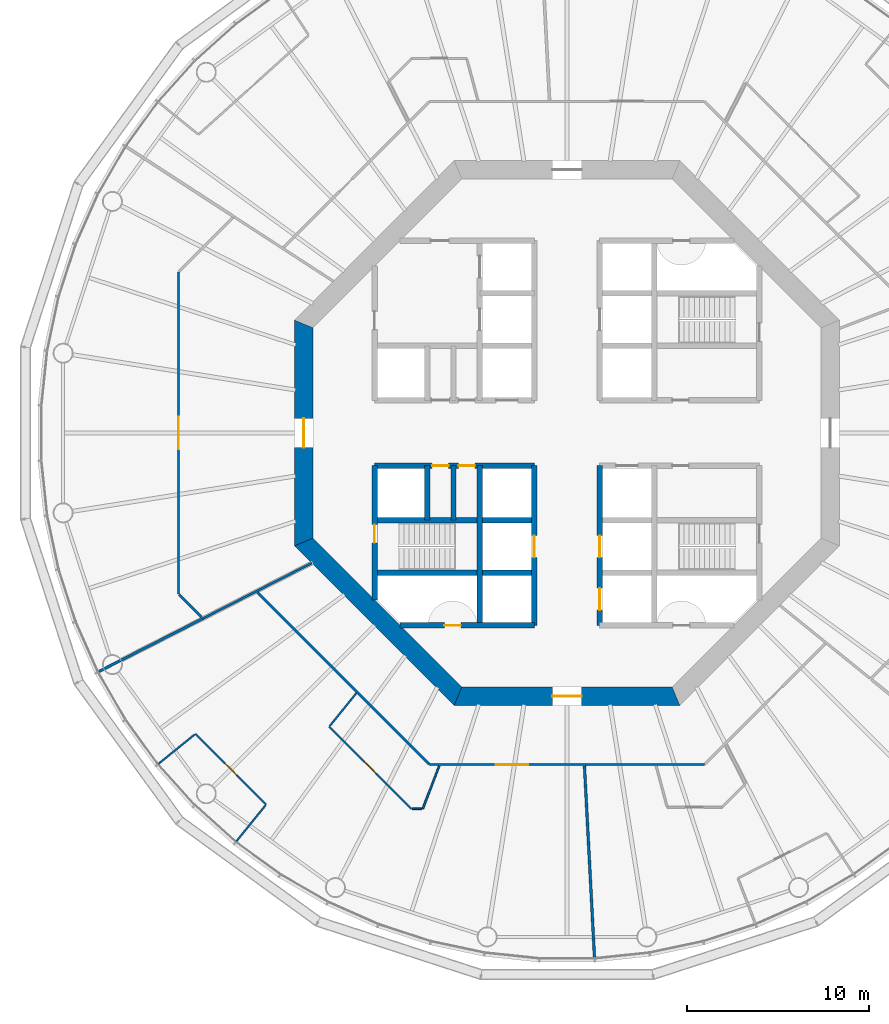
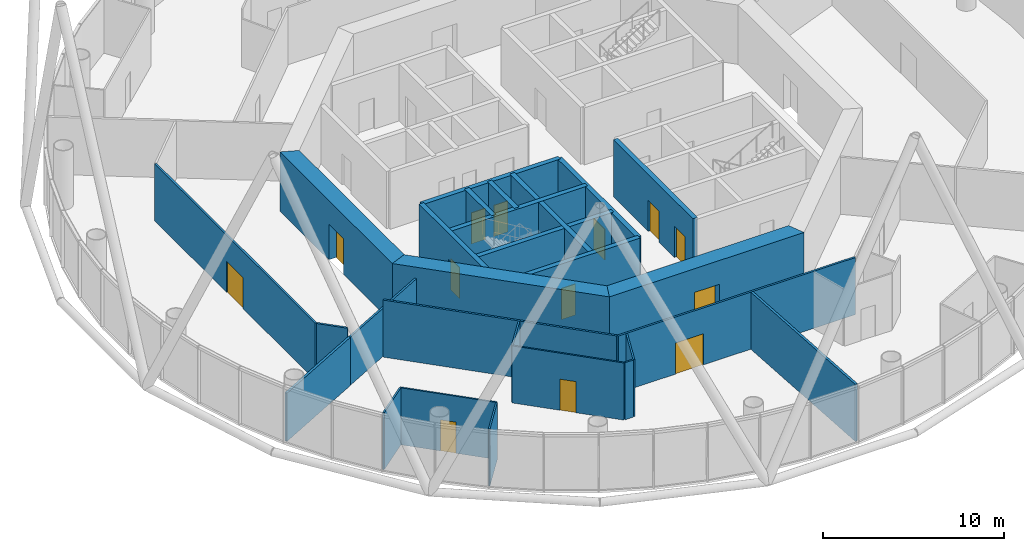
# One storey, part 3 of 13: 27 walls, 13 doors, 13 openings.
"""IFC4 building model written with IfcOpenShell, lengths in metres."""

from ifc_helpers import new_model, si_unit, direction, frame, frame_2d, origin, place, context, subcontext, project, spatial, polyline, rectangle, outline, extrude, material, layer, layer_set, type_object, element, fill, save


model = new_model("IFC4")

# Units and contexts
model_context = context("Model", 3, precision=1e-05, world=origin(), true_north=direction((0.0, 1.0)))
body_context = subcontext(model_context, "Body", "Model", "MODEL_VIEW")
ifc_project = project(units=[si_unit("LENGTHUNIT", "METRE"), si_unit("AREAUNIT", "SQUARE_METRE"), si_unit("VOLUMEUNIT", "CUBIC_METRE"), si_unit("PLANEANGLEUNIT", "RADIAN"), si_unit("MASSUNIT", "GRAM", prefix="KILO")], contexts=[model_context])

# Site, building, storey
site_placement = place(None, origin())
site = spatial("IfcSite", under=ifc_project, at=site_placement, CompositionType="ELEMENT")
building_placement = place(site_placement, origin())
building = spatial("IfcBuilding", under=site, at=building_placement, Name="Entoto Ring Tower", CompositionType="ELEMENT")
storey_placement = place(building_placement, frame((0.0, 0.0, 180.0)))
storey = spatial("IfcBuildingStorey", under=building, at=storey_placement, Name="L41", CompositionType="ELEMENT", Elevation=180.0)

# Wall, openings, doors
ifc_material_1 = material(Name="Concrete C40/50", Category="concrete")
ifc_layer_1 = layer(ifc_material_1, 0.300048828125)
ifc_layer_set_1 = layer_set([ifc_layer_1], Name="Concrete C40/50")
wall_type_1 = type_object("IfcWallType", Name="Core enclosure wall 300 mm reinforced concrete", PredefinedType="SOLIDWALL", material=ifc_layer_set_1)
wall_1_placement = place(storey_placement, frame((91.800048828125, 69.39990234375, 0.0), z_axis=(0.0, 0.0, 1.0), x_axis=(0.0, 1.0, 0.0)))
wall_1 = element("IfcWall", 1, at=wall_1_placement, inside=storey, type_object=wall_type_1, Name="wall-L41-005", PredefinedType="SOLIDWALL", context=body_context, shape_type="SweptSolid", body=[
    extrude(rectangle(XDim=8.800048828125, YDim=0.300048828125, at=frame_2d((4.39990234375, 0.0))), origin(), (0.0, 0.0, 1.0), 3.85009765625),
])
opening_1_placement = place(wall_1_placement, frame((3.75, 0.0, 0.0)))
opening_1 = element("IfcOpeningElement", 2, at=opening_1_placement, cuts=wall_1, Name="Opening LD", PredefinedType="OPENING", context=body_context, shape_type="SweptSolid", body=[
    extrude(rectangle(XDim=1.199951171875, YDim=2.10009765625, at=frame_2d((0.60009765625, 1.050048828125))), frame((0.0, 0.16015625, 0.0), z_axis=(0.0, -1.0, 0.0), x_axis=(1.0, 0.0, 0.0)), (0.0, 0.0, 1.0), 0.320068359375),
])
opening_2_placement = place(wall_1_placement, frame((0.85009765625, 0.0, 0.0)))
opening_2 = element("IfcOpeningElement", 3, at=opening_2_placement, cuts=wall_1, Name="Opening LD", PredefinedType="OPENING", context=body_context, shape_type="SweptSolid", body=[
    extrude(rectangle(XDim=1.199951171875, YDim=2.10009765625, at=frame_2d((0.60009765625, 1.050048828125))), frame((0.0, 0.16015625, 0.0), z_axis=(0.0, -1.0, 0.0), x_axis=(1.0, 0.0, 0.0)), (0.0, 0.0, 1.0), 0.320068359375),
])
ifc_material_2 = material(Name="Steel and glass door leaf", Category="steel")
ifc_layer_2 = layer(ifc_material_2, 0.050048828125)
ifc_layer_set_2 = layer_set([ifc_layer_2], Name="Steel and glass door leaf")
door_type_1 = type_object("IfcDoorType", Name="Landing door 1200 x 2100 sliding", OperationType="DOUBLE_DOOR_SLIDING", PredefinedType="DOOR", material=ifc_layer_set_2)
door_1_placement = place(opening_1_placement, origin())
door_1 = element("IfcDoor", 4, at=door_1_placement, inside=storey, type_object=door_type_1, Name="Landing door LB2-MR", OperationType="SLIDING_TO_RIGHT", OverallHeight=2.10009765625, OverallWidth=1.199951171875, PredefinedType="DOOR", context=body_context, shape_type="SweptSolid", body=[
    extrude(rectangle(XDim=1.199951171875, YDim=2.10009765625, at=frame_2d((0.60009765625, 1.050048828125))), frame((0.0, 0.02490234375, 0.0), z_axis=(0.0, -1.0, 0.0), x_axis=(1.0, 0.0, 0.0)), (0.0, 0.0, 1.0), 0.050048828125),
])
fill(opening_1, door_1)
door_2_placement = place(opening_2_placement, origin())
door_2 = element("IfcDoor", 5, at=door_2_placement, inside=storey, type_object=door_type_1, Name="Landing door LB3-MR", OperationType="SLIDING_TO_RIGHT", OverallHeight=2.10009765625, OverallWidth=1.199951171875, PredefinedType="DOOR", context=body_context, shape_type="SweptSolid", body=[
    extrude(rectangle(XDim=1.199951171875, YDim=2.10009765625, at=frame_2d((0.60009765625, 1.050048828125))), frame((0.0, 0.02490234375, 0.0), z_axis=(0.0, -1.0, 0.0), x_axis=(1.0, 0.0, 0.0)), (0.0, 0.0, 1.0), 0.050048828125),
])
fill(opening_2, door_2)

# Wall, opening, door
wall_2_placement = place(storey_placement, frame((88.199951171875, 69.39990234375, 0.0), z_axis=(0.0, 0.0, 1.0), x_axis=(0.0, 1.0, 0.0)))
wall_2 = element("IfcWall", 6, at=wall_2_placement, inside=storey, type_object=wall_type_1, Name="wall-L41-007", PredefinedType="SOLIDWALL", context=body_context, shape_type="SweptSolid", body=[
    extrude(rectangle(XDim=8.800048828125, YDim=0.300048828125, at=frame_2d((4.39990234375, 0.0))), origin(), (0.0, 0.0, 1.0), 3.85009765625),
])
opening_3_placement = place(wall_2_placement, frame((3.75, 0.0, 0.0)))
opening_3 = element("IfcOpeningElement", 7, at=opening_3_placement, cuts=wall_2, Name="Opening LD", PredefinedType="OPENING", context=body_context, shape_type="SweptSolid", body=[
    extrude(rectangle(XDim=1.199951171875, YDim=2.10009765625, at=frame_2d((0.60009765625, 1.050048828125))), frame((0.0, 0.16015625, 0.0), z_axis=(0.0, -1.0, 0.0), x_axis=(1.0, 0.0, 0.0)), (0.0, 0.0, 1.0), 0.320068359375),
])
door_3_placement = place(opening_3_placement, origin())
door_3 = element("IfcDoor", 8, at=door_3_placement, inside=storey, type_object=door_type_1, Name="Landing door LB4-MR", OperationType="SLIDING_TO_RIGHT", OverallHeight=2.10009765625, OverallWidth=1.199951171875, PredefinedType="DOOR", context=body_context, shape_type="SweptSolid", body=[
    extrude(rectangle(XDim=1.199951171875, YDim=2.10009765625, at=frame_2d((0.60009765625, 1.050048828125))), frame((0.0, 0.02490234375, 0.0), z_axis=(0.0, -1.0, 0.0), x_axis=(1.0, 0.0, 0.0)), (0.0, 0.0, 1.0), 0.050048828125),
])
fill(opening_3, door_3)

# Walls
wall_3_placement = place(storey_placement, frame((85.199951171875, 69.39990234375, 0.0), z_axis=(0.0, 0.0, 1.0), x_axis=(0.0, 1.0, 0.0)))
element("IfcWall", 9, at=wall_3_placement, inside=storey, type_object=wall_type_1, Name="wall-L41-009", PredefinedType="SOLIDWALL", context=body_context, shape_type="SweptSolid", body=[
    extrude(rectangle(XDim=8.800048828125, YDim=0.300048828125, at=frame_2d((4.39990234375, 0.0))), origin(), (0.0, 0.0, 1.0), 3.85009765625),
])
for number, where, z_axis, x_axis, name in (
    (10, (83.75, 75.199951171875, 0.0), (0.0, 0.0, 1.0), (0.0, 1.0, 0.0), "wall-L41-011"),
    (11, (82.300048828125, 75.199951171875, 0.0), (0.0, 0.0, 1.0), (0.0, 1.0, 0.0), "wall-L41-013"),
):
    element("IfcWall", number, at=place(storey_placement, frame(where, z_axis=z_axis, x_axis=x_axis)), inside=storey, type_object=wall_type_1, Name=name, PredefinedType="SOLIDWALL", context=body_context, shape_type="SweptSolid", body=[
        extrude(rectangle(XDim=3.0, YDim=0.300048828125, at=frame_2d((1.5, 0.0))), origin(), (0.0, 0.0, 1.0), 3.85009765625),
    ])

# Wall, opening, door
wall_4_placement = place(storey_placement, frame((79.39990234375, 70.801025390625, 0.0), z_axis=(0.0, 0.0, 1.0), x_axis=(0.0, 1.0, 0.0)))
wall_4 = element("IfcWall", 12, at=wall_4_placement, inside=storey, type_object=wall_type_1, Name="wall-L41-015", PredefinedType="SOLIDWALL", context=body_context, shape_type="SweptSolid", body=[
    extrude(rectangle(XDim=7.39892578125, YDim=0.300048828125, at=frame_2d((3.699462890625, 0.0))), origin(), (0.0, 0.0, 1.0), 3.85009765625),
])
opening_4_placement = place(wall_4_placement, frame((3.14892578125, 0.0, 0.0)))
opening_4 = element("IfcOpeningElement", 13, at=opening_4_placement, cuts=wall_4, Name="Opening K-59", PredefinedType="OPENING", context=body_context, shape_type="SweptSolid", body=[
    extrude(rectangle(XDim=1.0, YDim=2.10009765625, at=frame_2d((0.5, 1.050048828125))), frame((0.0, 0.16015625, 0.0), z_axis=(0.0, -1.0, 0.0), x_axis=(1.0, 0.0, 0.0)), (0.0, 0.0, 1.0), 0.320068359375),
])
ifc_material_3 = material(Name="Steel door leaf, fire rated", Category="steel")
ifc_layer_3 = layer(ifc_material_3, 0.050048828125)
ifc_layer_set_3 = layer_set([ifc_layer_3], Name="Steel door leaf, fire rated")
door_type_2 = type_object("IfcDoorType", Name="Fire door FD60 1000 x 2100 single leaf", OperationType="NOTDEFINED", PredefinedType="DOOR", material=ifc_layer_set_3)
door_4_placement = place(opening_4_placement, frame((1.0, 0.0, 0.0), z_axis=(0.0, 0.0, 1.0), x_axis=(-1.0, 0.0, 0.0)))
door_4 = element("IfcDoor", 14, at=door_4_placement, inside=storey, type_object=door_type_2, Name="Door K-59", OperationType="SINGLE_SWING_LEFT", OverallHeight=2.10009765625, OverallWidth=1.0, PredefinedType="DOOR", context=body_context, shape_type="SweptSolid", body=[
    extrude(rectangle(XDim=1.0, YDim=2.10009765625, at=frame_2d((0.5, 1.050048828125))), frame((0.0, 0.02490234375, 0.0), z_axis=(0.0, -1.0, 0.0), x_axis=(1.0, 0.0, 0.0)), (0.0, 0.0, 1.0), 0.050048828125),
])
fill(opening_4, door_4)

wall_5_placement = place(storey_placement, frame((80.801025390625, 69.39990234375, 0.0), z_axis=(0.0, 0.0, 1.0), x_axis=(1.0, 0.0, 0.0)))
wall_5 = element("IfcWall", 15, at=wall_5_placement, inside=storey, type_object=wall_type_1, Name="wall-L41-017", PredefinedType="SOLIDWALL", context=body_context, shape_type="SweptSolid", body=[
    extrude(rectangle(XDim=7.39892578125, YDim=0.300048828125, at=frame_2d((3.699462890625, 0.0))), origin(), (0.0, 0.0, 1.0), 3.85009765625),
])
opening_5_placement = place(wall_5_placement, frame((2.448974609375, 0.0, 0.0)))
opening_5 = element("IfcOpeningElement", 16, at=opening_5_placement, cuts=wall_5, Name="Opening K-66", PredefinedType="OPENING", context=body_context, shape_type="SweptSolid", body=[
    extrude(rectangle(XDim=0.89990234375, YDim=2.10009765625, at=frame_2d((0.449951171875, 1.050048828125))), frame((0.0, 0.16015625, 0.0), z_axis=(0.0, -1.0, 0.0), x_axis=(1.0, 0.0, 0.0)), (0.0, 0.0, 1.0), 0.320068359375),
])
ifc_material_4 = material(Name="Steel door leaf, fire rated", Category="steel")
ifc_layer_4 = layer(ifc_material_4, 0.050048828125)
ifc_layer_set_4 = layer_set([ifc_layer_4], Name="Steel door leaf, fire rated")
door_type_3 = type_object("IfcDoorType", Name="Riser door FD60 900 x 2100 single leaf", OperationType="NOTDEFINED", PredefinedType="DOOR", material=ifc_layer_set_4)
door_5_placement = place(opening_5_placement, origin())
door_5 = element("IfcDoor", 17, at=door_5_placement, inside=storey, type_object=door_type_3, Name="Door K-66", OperationType="SINGLE_SWING_RIGHT", OverallHeight=2.10009765625, OverallWidth=0.89990234375, PredefinedType="DOOR", context=body_context, shape_type="SweptSolid", body=[
    extrude(rectangle(XDim=0.89990234375, YDim=2.10009765625, at=frame_2d((0.449951171875, 1.050048828125))), frame((0.0, 0.02490234375, 0.0), z_axis=(0.0, -1.0, 0.0), x_axis=(1.0, 0.0, 0.0)), (0.0, 0.0, 1.0), 0.050048828125),
])
fill(opening_5, door_5)

# Walls
for number, where, z_axis, x_axis, name in (
    (18, (79.39990234375, 72.300048828125, 0.0), (0.0, 0.0, 1.0), (1.0, 0.0, 0.0), "wall-L41-019"),
    (19, (79.39990234375, 75.199951171875, 0.0), (0.0, 0.0, 1.0), (1.0, 0.0, 0.0), "wall-L41-021"),
):
    element("IfcWall", number, at=place(storey_placement, frame(where, z_axis=z_axis, x_axis=x_axis)), inside=storey, type_object=wall_type_1, Name=name, PredefinedType="SOLIDWALL", context=body_context, shape_type="SweptSolid", body=[
        extrude(rectangle(XDim=8.800048828125, YDim=0.300048828125, at=frame_2d((4.39990234375, 0.0))), origin(), (0.0, 0.0, 1.0), 3.85009765625),
    ])

# Wall, openings, doors
wall_6_placement = place(storey_placement, frame((79.39990234375, 78.199951171875, 0.0), z_axis=(0.0, 0.0, 1.0), x_axis=(1.0, 0.0, 0.0)))
wall_6 = element("IfcWall", 20, at=wall_6_placement, inside=storey, type_object=wall_type_1, Name="wall-L41-023", PredefinedType="SOLIDWALL", context=body_context, shape_type="SweptSolid", body=[
    extrude(rectangle(XDim=8.800048828125, YDim=0.300048828125, at=frame_2d((4.39990234375, 0.0))), origin(), (0.0, 0.0, 1.0), 3.85009765625),
])
opening_6_placement = place(wall_6_placement, frame((3.175048828125, 0.0, 0.0)))
opening_6 = element("IfcOpeningElement", 21, at=opening_6_placement, cuts=wall_6, Name="Opening K-15", PredefinedType="OPENING", context=body_context, shape_type="SweptSolid", body=[
    extrude(rectangle(XDim=0.89990234375, YDim=2.10009765625, at=frame_2d((0.449951171875, 1.050048828125))), frame((0.0, 0.16015625, 0.0), z_axis=(0.0, -1.0, 0.0), x_axis=(1.0, 0.0, 0.0)), (0.0, 0.0, 1.0), 0.320068359375),
])
opening_7_placement = place(wall_6_placement, frame((4.625, 0.0, 0.0)))
opening_7 = element("IfcOpeningElement", 22, at=opening_7_placement, cuts=wall_6, Name="Opening K-16", PredefinedType="OPENING", context=body_context, shape_type="SweptSolid", body=[
    extrude(rectangle(XDim=0.89990234375, YDim=2.10009765625, at=frame_2d((0.449951171875, 1.050048828125))), frame((0.0, 0.16015625, 0.0), z_axis=(0.0, -1.0, 0.0), x_axis=(1.0, 0.0, 0.0)), (0.0, 0.0, 1.0), 0.320068359375),
])
ifc_material_5 = material(Name="Steel door leaf, fire rated", Category="steel")
ifc_layer_5 = layer(ifc_material_5, 0.050048828125)
ifc_layer_set_5 = layer_set([ifc_layer_5], Name="Steel door leaf, fire rated")
door_type_4 = type_object("IfcDoorType", Name="Core door 900 x 2100 single leaf", OperationType="NOTDEFINED", PredefinedType="DOOR", material=ifc_layer_set_5)
door_6_placement = place(opening_6_placement, frame((0.89990234375, 0.0, 0.0), z_axis=(0.0, 0.0, 1.0), x_axis=(-1.0, 0.0, 0.0)))
door_6 = element("IfcDoor", 23, at=door_6_placement, inside=storey, type_object=door_type_4, Name="Door K-15", OperationType="SINGLE_SWING_LEFT", OverallHeight=2.10009765625, OverallWidth=0.89990234375, PredefinedType="DOOR", context=body_context, shape_type="SweptSolid", body=[
    extrude(rectangle(XDim=0.89990234375, YDim=2.10009765625, at=frame_2d((0.449951171875, 1.050048828125))), frame((0.0, 0.02490234375, 0.0), z_axis=(0.0, -1.0, 0.0), x_axis=(1.0, 0.0, 0.0)), (0.0, 0.0, 1.0), 0.050048828125),
])
fill(opening_6, door_6)
door_7_placement = place(opening_7_placement, frame((0.89990234375, 0.0, 0.0), z_axis=(0.0, 0.0, 1.0), x_axis=(-1.0, 0.0, 0.0)))
door_7 = element("IfcDoor", 24, at=door_7_placement, inside=storey, type_object=door_type_4, Name="Door K-16", OperationType="SINGLE_SWING_LEFT", OverallHeight=2.10009765625, OverallWidth=0.89990234375, PredefinedType="DOOR", context=body_context, shape_type="SweptSolid", body=[
    extrude(rectangle(XDim=0.89990234375, YDim=2.10009765625, at=frame_2d((0.449951171875, 1.050048828125))), frame((0.0, 0.02490234375, 0.0), z_axis=(0.0, -1.0, 0.0), x_axis=(1.0, 0.0, 0.0)), (0.0, 0.0, 1.0), 0.050048828125),
])
fill(opening_7, door_7)

# Wall, opening, door
ifc_material_6 = material(Name="Concrete C50/60", Category="concrete")
ifc_layer_6 = layer(ifc_material_6, 1.0)
ifc_layer_set_6 = layer_set([ifc_layer_6], Name="Concrete C50/60")
wall_type_2 = type_object("IfcWallType", Name="Core shear wall 1000 mm reinforced concrete C50/60", PredefinedType="SHEAR", material=ifc_layer_set_6)
wall_7_placement = place(storey_placement, frame((75.5, 86.006103515625, 0.0), z_axis=(0.0, 0.0, 1.0), x_axis=(0.0, -1.0, 0.0)))
wall_7 = element("IfcWall", 25, at=wall_7_placement, inside=storey, type_object=wall_type_2, Name="wall-L41-core-4", PredefinedType="SHEAR", context=body_context, shape_type="SweptSolid", body=[
    extrude(outline(polyline([(-0.20703125, -0.5), (12.21923828125, -0.5), (11.80517578125, 0.5), (0.20703125, 0.5), (-0.20703125, -0.5)])), origin(), (0.0, 0.0, 1.0), 4.0),
])
opening_8_placement = place(wall_7_placement, frame((5.2060546875, 0.0, 0.0)))
opening_8 = element("IfcOpeningElement", 26, at=opening_8_placement, cuts=wall_7, Name="Opening K-03", PredefinedType="OPENING", context=body_context, shape_type="SweptSolid", body=[
    extrude(rectangle(XDim=1.60009765625, YDim=2.39990234375, at=frame_2d((0.800048828125, 1.199951171875))), frame((0.0, 0.510009765625, 0.0), z_axis=(0.0, -1.0, 0.0), x_axis=(1.0, 0.0, 0.0)), (0.0, 0.0, 1.0), 1.02001953125),
])
ifc_material_7 = material(Name="Steel door leaf, fire rated", Category="steel")
ifc_layer_7 = layer(ifc_material_7, 0.050048828125)
ifc_layer_set_7 = layer_set([ifc_layer_7], Name="Steel door leaf, fire rated")
door_type_5 = type_object("IfcDoorType", Name="Entrance door FD60 1600 x 2400 double leaf", OperationType="DOUBLE_DOOR_SINGLE_SWING", PredefinedType="DOOR", material=ifc_layer_set_7)
door_8_placement = place(opening_8_placement, origin())
door_8 = element("IfcDoor", 27, at=door_8_placement, inside=storey, type_object=door_type_5, Name="Entrance door K-03", OperationType="DOUBLE_DOOR_SINGLE_SWING", OverallHeight=2.39990234375, OverallWidth=1.60009765625, PredefinedType="DOOR", context=body_context, shape_type="SweptSolid", body=[
    extrude(rectangle(XDim=1.60009765625, YDim=2.39990234375, at=frame_2d((0.800048828125, 1.199951171875))), frame((0.0, 0.02490234375, 0.0), z_axis=(0.0, -1.0, 0.0), x_axis=(1.0, 0.0, 0.0)), (0.0, 0.0, 1.0), 0.050048828125),
])
fill(opening_8, door_8)

# Wall
wall_8_placement = place(storey_placement, frame((75.5, 73.993896484375, 0.0), z_axis=(0.0, 0.0, 1.0), x_axis=(0.707106781187, -0.707106781187, 0.0)))
element("IfcWall", 28, at=wall_8_placement, inside=storey, type_object=wall_type_2, Name="wall-L41-core-5", PredefinedType="SHEAR", context=body_context, shape_type="SweptSolid", body=[
    extrude(outline(polyline([(-0.20703125, -0.5), (12.21923828125, -0.5), (11.80517578125, 0.5), (0.20703125, 0.5), (-0.20703125, -0.5)])), origin(), (0.0, 0.0, 1.0), 4.0),
])

# Wall, opening, door
wall_9_placement = place(storey_placement, frame((83.993896484375, 65.5, 0.0), z_axis=(0.0, 0.0, 1.0), x_axis=(1.0, 0.0, 0.0)))
wall_9 = element("IfcWall", 29, at=wall_9_placement, inside=storey, type_object=wall_type_2, Name="wall-L41-core-6", PredefinedType="SHEAR", context=body_context, shape_type="SweptSolid", body=[
    extrude(outline(polyline([(-0.20703125, -0.5), (12.21923828125, -0.5), (11.80517578125, 0.5), (0.20703125, 0.5), (-0.20703125, -0.5)])), origin(), (0.0, 0.0, 1.0), 4.0),
])
opening_9_placement = place(wall_9_placement, frame((5.2060546875, 0.0, 0.0)))
opening_9 = element("IfcOpeningElement", 30, at=opening_9_placement, cuts=wall_9, Name="Opening K-04", PredefinedType="OPENING", context=body_context, shape_type="SweptSolid", body=[
    extrude(rectangle(XDim=1.60009765625, YDim=2.39990234375, at=frame_2d((0.800048828125, 1.199951171875))), frame((0.0, 0.510009765625, 0.0), z_axis=(0.0, -1.0, 0.0), x_axis=(1.0, 0.0, 0.0)), (0.0, 0.0, 1.0), 1.02001953125),
])
door_9_placement = place(opening_9_placement, origin())
door_9 = element("IfcDoor", 31, at=door_9_placement, inside=storey, type_object=door_type_5, Name="Entrance door K-04", OperationType="DOUBLE_DOOR_SINGLE_SWING", OverallHeight=2.39990234375, OverallWidth=1.60009765625, PredefinedType="DOOR", context=body_context, shape_type="SweptSolid", body=[
    extrude(rectangle(XDim=1.60009765625, YDim=2.39990234375, at=frame_2d((0.800048828125, 1.199951171875))), frame((0.0, 0.02490234375, 0.0), z_axis=(0.0, -1.0, 0.0), x_axis=(1.0, 0.0, 0.0)), (0.0, 0.0, 1.0), 0.050048828125),
])
fill(opening_9, door_9)

ifc_material_8 = material(Name="Fire-resisting plasterboard on steel studs", Category="steel")
ifc_layer_8 = layer(ifc_material_8, 0.125)
ifc_layer_set_8 = layer_set([ifc_layer_8], Name="Fire-resisting plasterboard on steel studs")
wall_type_3 = type_object("IfcWallType", Name="Corridor wall 125 mm one-hour plasterboard on steel studs", PredefinedType="PARTITIONING", material=ifc_layer_set_8)
wall_10_placement = place(storey_placement, frame((68.60009765625, 71.1357421875, 0.0), z_axis=(0.0, 0.0, 1.0), x_axis=(0.0, 1.0, 0.0)))
wall_10 = element("IfcWall", 32, at=wall_10_placement, inside=storey, type_object=wall_type_3, Name="partition-L41-001", PredefinedType="PARTITIONING", context=body_context, shape_type="SweptSolid", body=[
    extrude(rectangle(XDim=17.728515625, YDim=0.125, at=frame_2d((8.8642578125, 0.0))), origin(), (0.0, 0.0, 1.0), 3.85009765625),
])
opening_10_placement = place(wall_10_placement, frame((7.964111328125, 0.0, 0.0)))
opening_10 = element("IfcOpeningElement", 33, at=opening_10_placement, cuts=wall_10, Name="Opening A18-D02", PredefinedType="OPENING", context=body_context, shape_type="SweptSolid", body=[
    extrude(rectangle(XDim=1.800048828125, YDim=2.10009765625, at=frame_2d((0.89990234375, 1.050048828125))), frame((0.0, 0.072509765625, 0.0), z_axis=(0.0, -1.0, 0.0), x_axis=(1.0, 0.0, 0.0)), (0.0, 0.0, 1.0), 0.14501953125),
])
ifc_material_9 = material(Name="Fire-resisting timber door set", Category="wood")
door_type_6 = type_object("IfcDoorType", Name="Door 1800 x 2100 double leaf FD30S fire door", OperationType="DOUBLE_DOOR_SINGLE_SWING", PredefinedType="DOOR", material=ifc_material_9)
door_10_placement = place(opening_10_placement, origin())
door_10 = element("IfcDoor", 34, at=door_10_placement, inside=storey, type_object=door_type_6, Name="Door A18-D02", OperationType="DOUBLE_DOOR_SINGLE_SWING", OverallHeight=2.10009765625, OverallWidth=1.800048828125, PredefinedType="DOOR", context=body_context, shape_type="SweptSolid", body=[
    extrude(rectangle(XDim=1.800048828125, YDim=2.10009765625, at=frame_2d((0.89990234375, 1.050048828125))), frame((0.0, 0.02490234375, 0.0), z_axis=(0.0, -1.0, 0.0), x_axis=(1.0, 0.0, 0.0)), (0.0, 0.0, 1.0), 0.050048828125),
])
fill(opening_10, door_10)

wall_11_placement = place(storey_placement, frame((82.435302734375, 61.737548828125, 0.0), z_axis=(0.0, 0.0, 1.0), x_axis=(1.0, 0.0, 0.0)))
wall_11 = element("IfcWall", 35, at=wall_11_placement, inside=storey, type_object=wall_type_3, Name="partition-L41-004", PredefinedType="PARTITIONING", context=body_context, shape_type="SweptSolid", body=[
    extrude(rectangle(XDim=15.12939453125, YDim=0.125, at=frame_2d((7.564697265625, 0.0))), origin(), (0.0, 0.0, 1.0), 3.85009765625),
])
opening_11_placement = place(wall_11_placement, frame((3.637939453125, 0.0, 0.0)))
opening_11 = element("IfcOpeningElement", 36, at=opening_11_placement, cuts=wall_11, Name="Opening A18-D09", PredefinedType="OPENING", context=body_context, shape_type="SweptSolid", body=[
    extrude(rectangle(XDim=1.800048828125, YDim=2.10009765625, at=frame_2d((0.89990234375, 1.050048828125))), frame((0.0, 0.072509765625, 0.0), z_axis=(0.0, -1.0, 0.0), x_axis=(1.0, 0.0, 0.0)), (0.0, 0.0, 1.0), 0.14501953125),
])
door_11_placement = place(opening_11_placement, frame((1.800048828125, 0.0, 0.0), z_axis=(0.0, 0.0, 1.0), x_axis=(-1.0, 0.0, 0.0)))
door_11 = element("IfcDoor", 37, at=door_11_placement, inside=storey, type_object=door_type_6, Name="Door A18-D09", OperationType="DOUBLE_DOOR_SINGLE_SWING", OverallHeight=2.10009765625, OverallWidth=1.800048828125, PredefinedType="DOOR", context=body_context, shape_type="SweptSolid", body=[
    extrude(rectangle(XDim=1.800048828125, YDim=2.10009765625, at=frame_2d((0.89990234375, 1.050048828125))), frame((0.0, 0.02490234375, 0.0), z_axis=(0.0, -1.0, 0.0), x_axis=(1.0, 0.0, 0.0)), (0.0, 0.0, 1.0), 0.050048828125),
])
fill(opening_11, door_11)

# Walls
wall_12_placement = place(storey_placement, frame((82.404296875, 61.7685546875, 0.0), z_axis=(0.0, 0.0, 1.0), x_axis=(-0.707097649982, 0.707115912273, 0.0)))
element("IfcWall", 38, at=wall_12_placement, inside=storey, type_object=wall_type_3, Name="partition-L41-006", PredefinedType="PARTITIONING", context=body_context, shape_type="SweptSolid", body=[
    extrude(rectangle(XDim=13.36865234375, YDim=0.125, at=frame_2d((6.684326171875, 0.0))), origin(), (0.0, 0.0, 1.0), 3.85009765625),
])
wall_13_placement = place(storey_placement, frame((69.881103515625, 69.8544921875, 0.0), z_axis=(0.0, 0.0, 1.0), x_axis=(-0.707037731162, 0.707175824469, 0.0)))
element("IfcWall", 39, at=wall_13_placement, inside=storey, type_object=wall_type_3, Name="partition-L41-015", PredefinedType="PARTITIONING", context=body_context, shape_type="SweptSolid", body=[
    extrude(rectangle(XDim=1.767822265625, YDim=0.125, at=frame_2d((0.8837890625, 0.0))), origin(), (0.0, 0.0, 1.0), 3.85009765625),
])
ifc_material_10 = material(Name="Fire-resisting plasterboard on steel studs", Category="steel")
ifc_layer_9 = layer(ifc_material_10, 0.125)
ifc_layer_set_9 = layer_set([ifc_layer_9], Name="Fire-resisting plasterboard on steel studs")
wall_type_4 = type_object("IfcWallType", Name="Corridor wall 125 mm one-hour plasterboard on steel studs, 3250 mm high", PredefinedType="PARTITIONING", material=ifc_layer_set_9)
wall_14_placement = place(storey_placement, frame((69.951171875, 69.78466796875, 0.0), z_axis=(0.0, 0.0, 1.0), x_axis=(0.891012915606, 0.453977955657, 0.0)))
element("IfcWall", 40, at=wall_14_placement, inside=storey, type_object=wall_type_4, Name="partition-L41-010", PredefinedType="PARTITIONING", context=body_context, shape_type="SweptSolid", body=[
    extrude(rectangle(XDim=6.729248046875, YDim=0.125, at=frame_2d((3.36474609375, 0.0))), origin(), (0.0, 0.0, 1.0), 3.25),
])

# Wall, opening, door
ifc_material_11 = material(Name="Plasterboard on steel studs", Category="steel")
ifc_layer_10 = layer(ifc_material_11, 0.10009765625)
ifc_layer_set_10 = layer_set([ifc_layer_10], Name="Plasterboard on steel studs")
wall_type_5 = type_object("IfcWallType", Name="Partition 100 mm plasterboard on steel studs", PredefinedType="PARTITIONING", material=ifc_layer_set_10)
wall_15_placement = place(storey_placement, frame((81.428955078125, 59.3076171875, 0.0), z_axis=(0.0, 0.0, 1.0), x_axis=(-0.707125865617, 0.707087696241, 0.0)))
wall_15 = element("IfcWall", 41, at=wall_15_placement, inside=storey, type_object=wall_type_5, Name="partition-L41-025", PredefinedType="PARTITIONING", context=body_context, shape_type="SweptSolid", body=[
    extrude(rectangle(XDim=6.396240234375, YDim=0.10009765625, at=frame_2d((3.1982421875, 0.0))), origin(), (0.0, 0.0, 1.0), 3.85009765625),
])
opening_12_placement = place(wall_15_placement, frame((2.748046875, 0.0, 0.0)))
opening_12 = element("IfcOpeningElement", 42, at=opening_12_placement, cuts=wall_15, Name="Opening A18-D10", PredefinedType="OPENING", context=body_context, shape_type="SweptSolid", body=[
    extrude(rectangle(XDim=0.89990234375, YDim=2.10009765625, at=frame_2d((0.449951171875, 1.050048828125))), frame((0.0, 0.06005859375, 0.0), z_axis=(0.0, -1.0, 0.0), x_axis=(1.0, 0.0, 0.0)), (0.0, 0.0, 1.0), 0.1201171875),
])
ifc_material_12 = material(Name="Veneered timber door leaf in timber frame", Category="wood")
door_type_7 = type_object("IfcDoorType", Name="Door 900 x 2100 single leaf timber veneer", OperationType="NOTDEFINED", PredefinedType="DOOR", material=ifc_material_12)
door_12_placement = place(opening_12_placement, frame((0.89990234375, 0.0, 0.0), z_axis=(0.0, 0.0, 1.0), x_axis=(-1.0, 0.0, 0.0)))
door_12 = element("IfcDoor", 43, at=door_12_placement, inside=storey, type_object=door_type_7, Name="Door A18-D10", OperationType="SINGLE_SWING_LEFT", OverallHeight=2.10009765625, OverallWidth=0.89990234375, PredefinedType="DOOR", context=body_context, shape_type="SweptSolid", body=[
    extrude(rectangle(XDim=0.89990234375, YDim=2.10009765625, at=frame_2d((0.449951171875, 1.050048828125))), frame((0.0, 0.02490234375, 0.0), z_axis=(0.0, -1.0, 0.0), x_axis=(1.0, 0.0, 0.0)), (0.0, 0.0, 1.0), 0.050048828125),
])
fill(opening_12, door_12)

wall_16_placement = place(storey_placement, frame((73.429931640625, 59.53759765625, 0.0), z_axis=(0.0, 0.0, 1.0), x_axis=(-0.707106781187, 0.707106781187, 0.0)))
wall_16 = element("IfcWall", 44, at=wall_16_placement, inside=storey, type_object=wall_type_5, Name="partition-L41-026", PredefinedType="PARTITIONING", context=body_context, shape_type="SweptSolid", body=[
    extrude(rectangle(XDim=5.504638671875, YDim=0.10009765625, at=frame_2d((2.75244140625, 0.0))), origin(), (0.0, 0.0, 1.0), 3.85009765625),
])
opening_13_placement = place(wall_16_placement, frame((2.30224609375, 0.0, 0.0)))
opening_13 = element("IfcOpeningElement", 45, at=opening_13_placement, cuts=wall_16, Name="Opening A18-D11", PredefinedType="OPENING", context=body_context, shape_type="SweptSolid", body=[
    extrude(rectangle(XDim=0.89990234375, YDim=2.10009765625, at=frame_2d((0.449951171875, 1.050048828125))), frame((0.0, 0.06005859375, 0.0), z_axis=(0.0, -1.0, 0.0), x_axis=(1.0, 0.0, 0.0)), (0.0, 0.0, 1.0), 0.1201171875),
])
door_13_placement = place(opening_13_placement, origin())
door_13 = element("IfcDoor", 46, at=door_13_placement, inside=storey, type_object=door_type_7, Name="Door A18-D11", OperationType="SINGLE_SWING_LEFT", OverallHeight=2.10009765625, OverallWidth=0.89990234375, PredefinedType="DOOR", context=body_context, shape_type="SweptSolid", body=[
    extrude(rectangle(XDim=0.89990234375, YDim=2.10009765625, at=frame_2d((0.449951171875, 1.050048828125))), frame((0.0, 0.02490234375, 0.0), z_axis=(0.0, -1.0, 0.0), x_axis=(1.0, 0.0, 0.0)), (0.0, 0.0, 1.0), 0.050048828125),
])
fill(opening_13, door_13)

# Walls
for number, where, z_axis, x_axis, name in (
    (47, (67.509521484375, 61.78759765625, 0.0), (0.0, 0.0, 1.0), (0.777142700589, 0.629324417865, 0.0), "partition-L41-037"),
    (48, (71.78759765625, 57.509521484375, 0.0), (0.0, 0.0, 1.0), (0.629324417865, 0.777142700589, 0.0), "partition-L41-038"),
):
    element("IfcWall", number, at=place(storey_placement, frame(where, z_axis=z_axis, x_axis=x_axis)), inside=storey, type_object=wall_type_5, Name=name, PredefinedType="PARTITIONING", context=body_context, shape_type="SweptSolid", body=[
        extrude(rectangle(XDim=2.56005859375, YDim=0.10009765625, at=frame_2d((1.280029296875, 0.0))), origin(), (0.0, 0.0, 1.0), 3.85009765625),
    ])
wall_17_placement = place(storey_placement, frame((82.056884765625, 59.3076171875, 0.0), z_axis=(0.0, 0.0, 1.0), x_axis=(0.358426498684, 0.933557949482, 0.0)))
element("IfcWall", 49, at=wall_17_placement, inside=storey, type_object=wall_type_5, Name="partition-L41-039", PredefinedType="PARTITIONING", context=body_context, shape_type="SweptSolid", body=[
    extrude(rectangle(XDim=2.516845703125, YDim=0.10009765625, at=frame_2d((1.25830078125, 0.0))), origin(), (0.0, 0.0, 1.0), 3.85009765625),
])
wall_18_placement = place(storey_placement, frame((76.937255859375, 63.868896484375, 0.0), z_axis=(0.0, 0.0, 1.0), x_axis=(0.629331093199, 0.777137294905, 0.0)))
element("IfcWall", 50, at=wall_18_placement, inside=storey, type_object=wall_type_5, Name="partition-L41-044", PredefinedType="PARTITIONING", context=body_context, shape_type="SweptSolid", body=[
    extrude(rectangle(XDim=2.32568359375, YDim=0.10009765625, at=frame_2d((1.162841796875, 0.0))), origin(), (0.0, 0.0, 1.0), 3.85009765625),
])
wall_19_placement = place(storey_placement, frame((81.464111328125, 59.3076171875, 0.0), z_axis=(0.0, 0.0, 1.0), x_axis=(1.0, 0.0, 0.0)))
element("IfcWall", 51, at=wall_19_placement, inside=storey, type_object=wall_type_5, Name="partition-L41-049", PredefinedType="PARTITIONING", context=body_context, shape_type="SweptSolid", body=[
    extrude(rectangle(XDim=0.54638671875, YDim=0.10009765625, at=frame_2d((0.273193359375, 0.0))), origin(), (0.0, 0.0, 1.0), 3.85009765625),
])
ifc_material_13 = material(Name="Fire-resisting acoustic plasterboard on steel studs", Category="steel")
ifc_layer_11 = layer(ifc_material_13, 0.14990234375)
ifc_layer_set_11 = layer_set([ifc_layer_11], Name="Fire-resisting acoustic plasterboard on steel studs")
wall_type_6 = type_object("IfcWallType", Name="Party wall 150 mm one-hour acoustic plasterboard on steel studs", PredefinedType="PARTITIONING", material=ifc_layer_set_11)
wall_20_placement = place(storey_placement, frame((91.5146484375, 51.099609375, 0.0), z_axis=(0.0, 0.0, 1.0), x_axis=(-0.052328843677, 0.998629907483, 0.0)))
element("IfcWall", 52, at=wall_20_placement, inside=storey, type_object=wall_type_6, Name="partition-L41-018", PredefinedType="PARTITIONING", context=body_context, shape_type="SweptSolid", body=[
    extrude(rectangle(XDim=10.5859375, YDim=0.14990234375, at=frame_2d((5.29296875, 0.0))), origin(), (0.0, 0.0, 1.0), 3.85009765625),
])
ifc_material_14 = material(Name="Fire-resisting acoustic plasterboard on steel studs", Category="steel")
ifc_layer_12 = layer(ifc_material_14, 0.14990234375)
ifc_layer_set_12 = layer_set([ifc_layer_12], Name="Fire-resisting acoustic plasterboard on steel studs")
wall_type_7 = type_object("IfcWallType", Name="Party wall 150 mm one-hour acoustic plasterboard on steel studs, 3250 mm high", PredefinedType="PARTITIONING", material=ifc_layer_set_12)
wall_21_placement = place(storey_placement, frame((64.21435546875, 66.861572265625, 0.0), z_axis=(0.0, 0.0, 1.0), x_axis=(0.891003901517, 0.453995646985, 0.0)))
element("IfcWall", 53, at=wall_21_placement, inside=storey, type_object=wall_type_7, Name="partition-L41-021", PredefinedType="PARTITIONING", context=body_context, shape_type="SweptSolid", body=[
    extrude(rectangle(XDim=6.4384765625, YDim=0.14990234375, at=frame_2d((3.21923828125, 0.0))), origin(), (0.0, 0.0, 1.0), 3.25),
])

save(model, "model.ifc")
